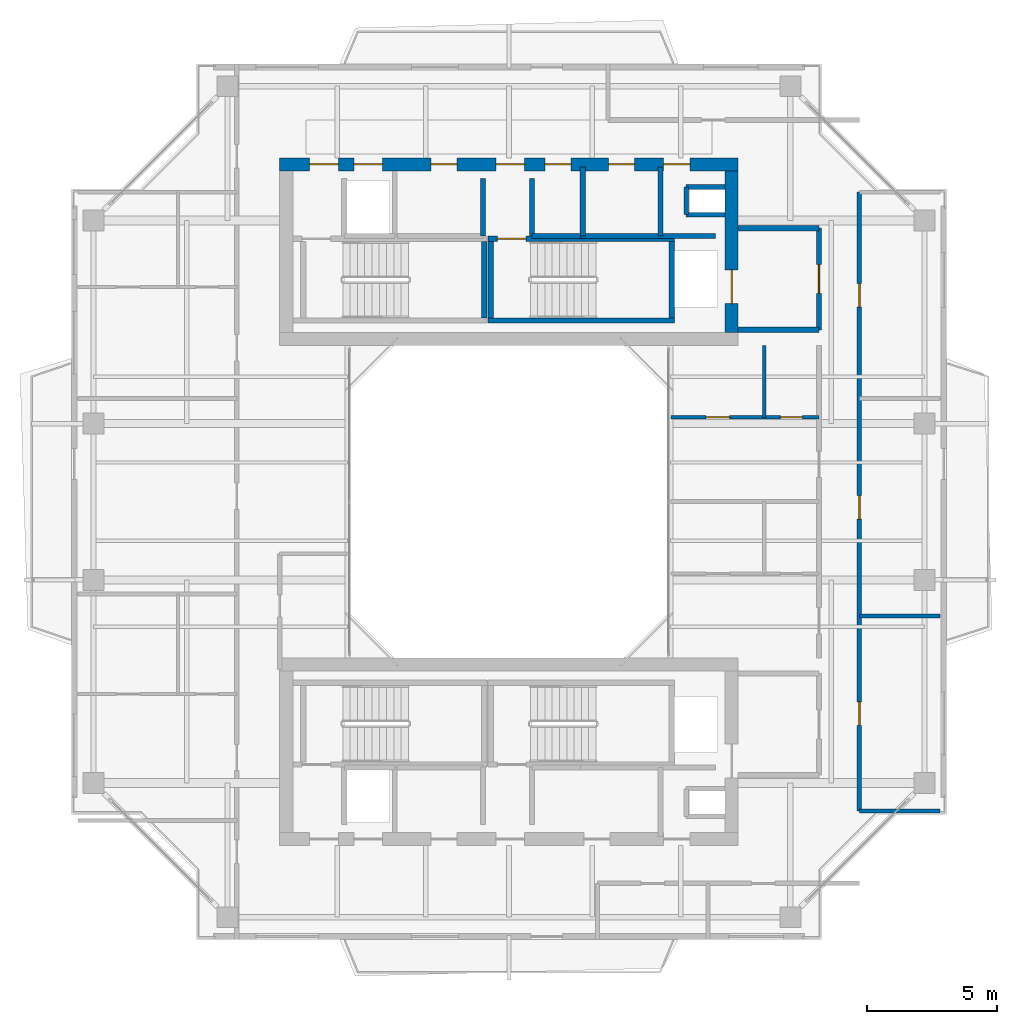
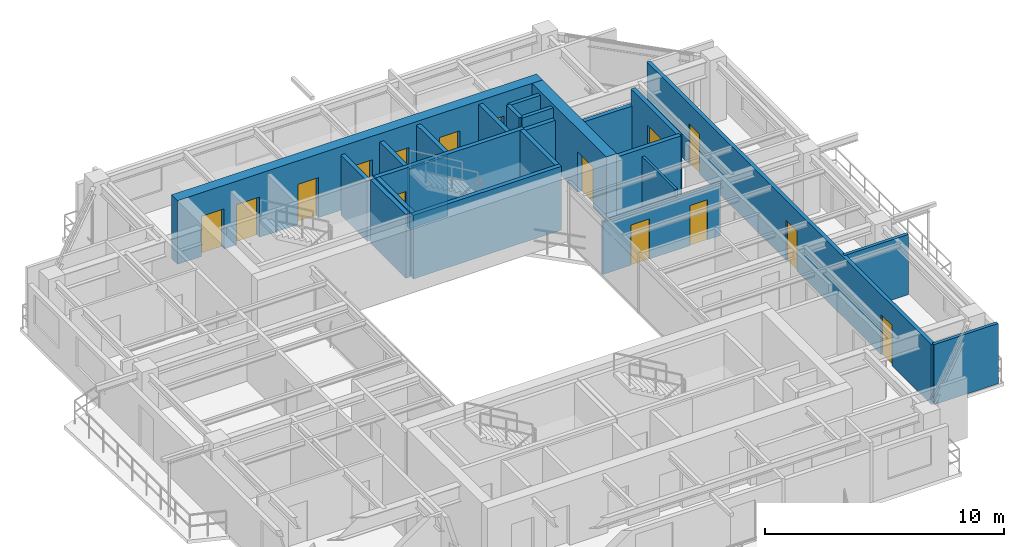
# One storey, part 12 of 15: 24 walls, 15 doors, 15 openings.
"""IFC4 building model written with IfcOpenShell, lengths in metres."""

from ifc_helpers import new_model, si_unit, direction, frame, frame_2d, origin, place, context, subcontext, project, spatial, rectangle, extrude, source, transform, mapped, material, layer, layer_set, type_object, element, fill, save


model = new_model("IFC4")

# Units and contexts
model_context = context("Model", 3, precision=1e-05, world=origin(), true_north=direction((0.0, 1.0)))
body_context = subcontext(model_context, "Body", "Model", "MODEL_VIEW")
ifc_project = project(units=[si_unit("LENGTHUNIT", "METRE"), si_unit("AREAUNIT", "SQUARE_METRE"), si_unit("VOLUMEUNIT", "CUBIC_METRE"), si_unit("PLANEANGLEUNIT", "RADIAN"), si_unit("MASSUNIT", "GRAM", prefix="KILO"), si_unit("THERMODYNAMICTEMPERATUREUNIT", "KELVIN"), si_unit("POWERUNIT", "WATT")], contexts=[model_context])

# Site, building, storey
site_placement = place(None, origin())
site = spatial("IfcSite", under=ifc_project, at=site_placement, CompositionType="ELEMENT")
building_placement = place(site_placement, origin())
building = spatial("IfcBuilding", under=site, at=building_placement, Name="Qiaomeng Ring Towers", CompositionType="ELEMENT")
storey_placement = place(building_placement, frame((0.0, 0.0, 206.75)))
storey = spatial("IfcBuildingStorey", under=building, at=storey_placement, Name="L60", CompositionType="ELEMENT", Elevation=206.75)

# Walls
ifc_material_1 = material(Name="Autoclaved aerated concrete block", Category="concrete")
ifc_layer_1 = layer(ifc_material_1, 0.199951171875, Name="Autoclaved aerated concrete block")
ifc_layer_set_1 = layer_set([ifc_layer_1], Name="Autoclaved aerated concrete block")
wall_type_1 = type_object("IfcWallType", Name="ARC-WL-PW1", PredefinedType="PARTITIONING", material=ifc_layer_set_1)
wall_1_placement = place(storey_placement, frame((27.800048828125, 29.60009765625, 0.0), z_axis=(0.0, 0.0, 1.0), x_axis=(1.0, 0.0, 0.0)))
element("IfcWall", 1, at=wall_1_placement, inside=storey, type_object=wall_type_1, Name="L60 Interior Wall PW1", PredefinedType="PARTITIONING", context=body_context, shape_type="SweptSolid", body=[
    extrude(rectangle(XDim=3.099853515625, YDim=0.199951171875, at=frame_2d((1.5498046875, 0.0))), origin(), (0.0, 0.0, 1.0), 3.070068359375),
])
wall_2_placement = place(storey_placement, frame((27.800048828125, 33.5, 0.0), z_axis=(0.0, 0.0, 1.0), x_axis=(1.0, 0.0, 0.0)))
element("IfcWall", 2, at=wall_2_placement, inside=storey, type_object=wall_type_1, Name="L60 Interior Wall PW1", PredefinedType="PARTITIONING", context=body_context, shape_type="SweptSolid", body=[
    extrude(rectangle(XDim=3.099853515625, YDim=0.199951171875, at=frame_2d((1.5498046875, 0.0))), origin(), (0.0, 0.0, 1.0), 2.264892578125),
])

# Wall, opening, door
wall_3_placement = place(storey_placement, frame((30.89990234375, 29.60009765625, 0.0), z_axis=(0.0, 0.0, 1.0), x_axis=(0.0, 1.0, 0.0)))
wall_3 = element("IfcWall", 3, at=wall_3_placement, inside=storey, type_object=wall_type_1, Name="L60 Interior Wall PW1", PredefinedType="PARTITIONING", context=body_context, shape_type="SweptSolid", body=[
    extrude(rectangle(XDim=3.89990234375, YDim=0.199951171875, at=frame_2d((1.949951171875, 0.0))), origin(), (0.0, 0.0, 1.0), 3.070068359375),
])
opening_1_placement = place(wall_3_placement, frame((1.39990234375, 0.0, 0.0)))
opening_1 = element("IfcOpeningElement", 4, at=opening_1_placement, cuts=wall_3, Name="Opening FD3", PredefinedType="OPENING", context=body_context, shape_type="SweptSolid", body=[
    extrude(rectangle(XDim=1.10009765625, YDim=2.050048828125, at=frame_2d((0.550048828125, 1.02490234375))), frame((0.0, 0.10986328125, 0.0), z_axis=(0.0, -1.0, 0.0), x_axis=(1.0, 0.0, 0.0)), (0.0, 0.0, 1.0), 0.219970703125),
])
ifc_material_2 = material(Name="Galvanised steel", Category="steel")
door_type_1 = type_object("IfcDoorType", Name="ARC-DR-FD3", OperationType="NOTDEFINED", PredefinedType="DOOR", material=ifc_material_2)
shared_shape_1 = source(origin(), body_context, "Body", "SweptSolid", [
    extrude(rectangle(XDim=1.10009765625, YDim=2.050048828125, at=frame_2d((0.550048828125, 1.02490234375))), frame((0.0, 0.02490234375, 0.0), z_axis=(0.0, -1.0, 0.0), x_axis=(1.0, 0.0, 0.0)), (0.0, 0.0, 1.0), 0.050048828125),
])
door_1_placement = place(opening_1_placement, origin())
door_1 = element("IfcDoor", 5, at=door_1_placement, inside=storey, type_object=door_type_1, Name="L60 North FF Lobby Door", OperationType="SINGLE_SWING_LEFT", OverallHeight=2.050048828125, OverallWidth=1.10009765625, PredefinedType="DOOR", context=body_context, shape_type="MappedRepresentation", body=[
    mapped(shared_shape_1, transform((0.0, 0.0, 0.0), x_axis=(1.0, 0.0, 0.0), y_axis=(0.0, 1.0, 0.0), z_axis=(0.0, 0.0, 1.0), scale=1.0)),
])
fill(opening_1, door_1)

# Walls
for number, where, z_axis, x_axis, name in (
    (6, (18.0, 33.18994140625, 0.0), (0.0, 0.0, 1.0), (0.0, 1.0, 0.0), "L60 Interior Wall PW1"),
    (7, (19.8798828125, 33.18994140625, 0.0), (0.0, 0.0, 1.0), (0.0, 1.0, 0.0), "L60 Interior Wall PW1"),
):
    element("IfcWall", number, at=place(storey_placement, frame(where, z_axis=z_axis, x_axis=x_axis)), inside=storey, type_object=wall_type_1, Name=name, PredefinedType="PARTITIONING", context=body_context, shape_type="SweptSolid", body=[
        extrude(rectangle(XDim=2.2099609375, YDim=0.199951171875, at=frame_2d((1.10498046875, 0.0))), origin(), (0.0, 0.0, 1.0), 3.070068359375),
    ])
wall_4_placement = place(storey_placement, frame((24.820068359375, 33.199951171875, 0.0), z_axis=(0.0, 0.0, 1.0), x_axis=(0.0, 1.0, 0.0)))
element("IfcWall", 8, at=wall_4_placement, inside=storey, type_object=wall_type_1, Name="L60 Interior Wall PW1", PredefinedType="PARTITIONING", context=body_context, shape_type="SweptSolid", body=[
    extrude(rectangle(XDim=2.650146484375, YDim=0.199951171875, at=frame_2d((1.3251953125, 0.0))), origin(), (0.0, 0.0, 1.0), 3.070068359375),
])
wall_5_placement = place(storey_placement, frame((19.8798828125, 33.199951171875, 0.0), z_axis=(0.0, 0.0, 1.0), x_axis=(1.0, 0.0, 0.0)))
element("IfcWall", 9, at=wall_5_placement, inside=storey, type_object=wall_type_1, Name="L60 Interior Wall PW1", PredefinedType="PARTITIONING", context=body_context, shape_type="SweptSolid", body=[
    extrude(rectangle(XDim=1.8701171875, YDim=0.199951171875, at=frame_2d((0.93505859375, 0.0))), origin(), (0.0, 0.0, 1.0), 3.070068359375),
])
wall_6_placement = place(storey_placement, frame((21.830078125, 33.199951171875, 0.0), z_axis=(0.0, 0.0, 1.0), x_axis=(0.0, 1.0, 0.0)))
element("IfcWall", 10, at=wall_6_placement, inside=storey, type_object=wall_type_1, Name="L60 Interior Wall PW1", PredefinedType="PARTITIONING", context=body_context, shape_type="SweptSolid", body=[
    extrude(rectangle(XDim=2.650146484375, YDim=0.199951171875, at=frame_2d((1.3251953125, 0.0))), origin(), (0.0, 0.0, 1.0), 3.070068359375),
])
wall_7_placement = place(storey_placement, frame((21.75, 33.199951171875, 0.0), z_axis=(0.0, 0.0, 1.0), x_axis=(1.0, 0.0, 0.0)))
element("IfcWall", 11, at=wall_7_placement, inside=storey, type_object=wall_type_1, Name="L60 Interior Wall PW1", PredefinedType="PARTITIONING", context=body_context, shape_type="SweptSolid", body=[
    extrude(rectangle(XDim=5.169921875, YDim=0.199951171875, at=frame_2d((2.5849609375, 0.0))), origin(), (0.0, 0.0, 1.0), 3.070068359375),
])

# Wall, openings, doors
ifc_layer_2 = layer(ifc_material_1, 0.179931640625, Name="Autoclaved aerated concrete block")
ifc_layer_set_2 = layer_set([ifc_layer_2], Name="Autoclaved aerated concrete block")
wall_type_2 = type_object("IfcWallType", Name="ARC-WL-PW2", PredefinedType="PARTITIONING", material=ifc_layer_set_2)
wall_8_placement = place(storey_placement, frame((32.449951171875, 11.1201171875, 0.0), z_axis=(0.0, 0.0, 1.0), x_axis=(0.0, 1.0, 0.0)))
wall_8 = element("IfcWall", 12, at=wall_8_placement, inside=storey, type_object=wall_type_2, Name="L60 Interior Wall PW2", PredefinedType="PARTITIONING", context=body_context, shape_type="SweptSolid", body=[
    extrude(rectangle(XDim=23.759765625, YDim=0.179931640625, at=frame_2d((11.8798828125, 0.0))), origin(), (0.0, 0.0, 1.0), 3.070068359375),
])
opening_2_placement = place(wall_8_placement, frame((3.294921875, 0.0, 0.0)))
opening_2 = element("IfcOpeningElement", 13, at=opening_2_placement, cuts=wall_8, Name="Opening ID1", PredefinedType="OPENING", context=body_context, shape_type="SweptSolid", body=[
    extrude(rectangle(XDim=0.89990234375, YDim=2.050048828125, at=frame_2d((0.449951171875, 1.02490234375))), frame((0.0, 0.099853515625, 0.0), z_axis=(0.0, -1.0, 0.0), x_axis=(1.0, 0.0, 0.0)), (0.0, 0.0, 1.0), 0.199951171875),
])
opening_3_placement = place(wall_8_placement, frame((11.215087890625, 0.0, 0.0)))
opening_3 = element("IfcOpeningElement", 14, at=opening_3_placement, cuts=wall_8, Name="Opening ID1", PredefinedType="OPENING", context=body_context, shape_type="SweptSolid", body=[
    extrude(rectangle(XDim=0.89990234375, YDim=2.050048828125, at=frame_2d((0.449951171875, 1.02490234375))), frame((0.0, 0.099853515625, 0.0), z_axis=(0.0, -1.0, 0.0), x_axis=(1.0, 0.0, 0.0)), (0.0, 0.0, 1.0), 0.199951171875),
])
opening_4_placement = place(wall_8_placement, frame((19.35009765625, 0.0, 0.0)))
opening_4 = element("IfcOpeningElement", 15, at=opening_4_placement, cuts=wall_8, Name="Opening ID1", PredefinedType="OPENING", context=body_context, shape_type="SweptSolid", body=[
    extrude(rectangle(XDim=0.89990234375, YDim=2.050048828125, at=frame_2d((0.449951171875, 1.02490234375))), frame((0.0, 0.099853515625, 0.0), z_axis=(0.0, -1.0, 0.0), x_axis=(1.0, 0.0, 0.0)), (0.0, 0.0, 1.0), 0.199951171875),
])
ifc_material_3 = material(Name="Engineered oak timber", Category="wood")
door_type_2 = type_object("IfcDoorType", Name="ARC-DR-ID1", OperationType="NOTDEFINED", PredefinedType="DOOR", material=ifc_material_3)
shared_shape_2 = source(origin(), body_context, "Body", "SweptSolid", [
    extrude(rectangle(XDim=0.89990234375, YDim=2.050048828125, at=frame_2d((0.449951171875, 1.02490234375))), frame((0.0, 0.02490234375, 0.0), z_axis=(0.0, -1.0, 0.0), x_axis=(1.0, 0.0, 0.0)), (0.0, 0.0, 1.0), 0.050048828125),
])
door_2_placement = place(opening_2_placement, origin())
door_2 = element("IfcDoor", 16, at=door_2_placement, inside=storey, type_object=door_type_2, Name="L60 Door ID1", OperationType="SINGLE_SWING_LEFT", OverallHeight=2.050048828125, OverallWidth=0.89990234375, PredefinedType="DOOR", context=body_context, shape_type="MappedRepresentation", body=[
    mapped(shared_shape_2, transform((0.0, 0.0, 0.0), x_axis=(1.0, 0.0, 0.0), y_axis=(0.0, 1.0, 0.0), z_axis=(0.0, 0.0, 1.0), scale=1.0)),
])
fill(opening_2, door_2)
door_3_placement = place(opening_3_placement, origin())
door_3 = element("IfcDoor", 17, at=door_3_placement, inside=storey, type_object=door_type_2, Name="L60 Door ID1", OperationType="SINGLE_SWING_RIGHT", OverallHeight=2.050048828125, OverallWidth=0.89990234375, PredefinedType="DOOR", context=body_context, shape_type="MappedRepresentation", body=[
    mapped(shared_shape_2, transform((0.0, 0.0, 0.0), x_axis=(1.0, 0.0, 0.0), y_axis=(0.0, 1.0, 0.0), z_axis=(0.0, 0.0, 1.0), scale=1.0)),
])
fill(opening_3, door_3)
door_4_placement = place(opening_4_placement, origin())
door_4 = element("IfcDoor", 18, at=door_4_placement, inside=storey, type_object=door_type_2, Name="L60 Door ID1", OperationType="SINGLE_SWING_LEFT", OverallHeight=2.050048828125, OverallWidth=0.89990234375, PredefinedType="DOOR", context=body_context, shape_type="MappedRepresentation", body=[
    mapped(shared_shape_2, transform((0.0, 0.0, 0.0), x_axis=(1.0, 0.0, 0.0), y_axis=(0.0, 1.0, 0.0), z_axis=(0.0, 0.0, 1.0), scale=1.0)),
])
fill(opening_4, door_4)

# Walls
ifc_material_4 = material(Name="Gypsum fireboard steel-stud partition", Category="steel")
ifc_layer_3 = layer(ifc_material_4, 0.14990234375, Name="Gypsum fireboard steel-stud partition")
ifc_layer_set_3 = layer_set([ifc_layer_3], Name="Gypsum fireboard steel-stud partition")
wall_type_3 = type_object("IfcWallType", Name="ARC-WL-PW3", PredefinedType="PARTITIONING", material=ifc_layer_set_3)
for number, where, z_axis, x_axis, name in (
    (19, (32.449951171875, 11.1201171875, 0.0), (0.0, 0.0, 1.0), (1.0, 0.0, 0.0), "L60 Interior Wall PW3"),
    (20, (32.449951171875, 18.610107421875, 0.0), (0.0, 0.0, 1.0), (1.0, 0.0, 0.0), "L60 Interior Wall PW3"),
):
    element("IfcWall", number, at=place(storey_placement, frame(where, z_axis=z_axis, x_axis=x_axis)), inside=storey, type_object=wall_type_3, Name=name, PredefinedType="PARTITIONING", context=body_context, shape_type="SweptSolid", body=[
        extrude(rectangle(XDim=3.10009765625, YDim=0.14990234375, at=frame_2d((1.550048828125, 0.0))), origin(), (0.0, 0.0, 1.0), 3.070068359375),
    ])

# Wall, openings, doors
ifc_material_5 = material(Name="Moisture-resistant gypsum steel-stud partition", Category="steel")
ifc_layer_4 = layer(ifc_material_5, 0.1201171875, Name="Moisture-resistant gypsum steel-stud partition")
ifc_layer_set_4 = layer_set([ifc_layer_4], Name="Moisture-resistant gypsum steel-stud partition")
wall_type_4 = type_object("IfcWallType", Name="ARC-WL-PW4", PredefinedType="PLUMBINGWALL", material=ifc_layer_set_4)
wall_9_placement = place(storey_placement, frame((25.219970703125, 26.239990234375, 0.0), z_axis=(0.0, 0.0, 1.0), x_axis=(1.0, 0.0, 0.0)))
wall_9 = element("IfcWall", 21, at=wall_9_placement, inside=storey, type_object=wall_type_4, Name="L60 Interior Wall PW4", PredefinedType="PLUMBINGWALL", context=body_context, shape_type="SweptSolid", body=[
    extrude(rectangle(XDim=5.679931640625, YDim=0.1201171875, at=frame_2d((2.83984375, 0.0))), origin(), (0.0, 0.0, 1.0), 2.675048828125),
])
opening_5_placement = place(wall_9_placement, frame((1.35009765625, 0.0, 0.0)))
opening_5 = element("IfcOpeningElement", 22, at=opening_5_placement, cuts=wall_9, Name="Opening ID1", PredefinedType="OPENING", context=body_context, shape_type="SweptSolid", body=[
    extrude(rectangle(XDim=0.89990234375, YDim=2.050048828125, at=frame_2d((0.449951171875, 1.02490234375))), frame((0.0, 0.070068359375, 0.0), z_axis=(0.0, -1.0, 0.0), x_axis=(1.0, 0.0, 0.0)), (0.0, 0.0, 1.0), 0.14013671875),
])
opening_6_placement = place(wall_9_placement, frame((4.195068359375, 0.0, 0.0)))
opening_6 = element("IfcOpeningElement", 23, at=opening_6_placement, cuts=wall_9, Name="Opening ID2", PredefinedType="OPENING", context=body_context, shape_type="SweptSolid", body=[
    extrude(rectangle(XDim=0.85009765625, YDim=2.050048828125, at=frame_2d((0.425048828125, 1.02490234375))), frame((0.0, 0.070068359375, 0.0), z_axis=(0.0, -1.0, 0.0), x_axis=(1.0, 0.0, 0.0)), (0.0, 0.0, 1.0), 0.14013671875),
])
ifc_material_6 = material(Name="Moisture-resistant engineered timber", Category="wood")
door_type_3 = type_object("IfcDoorType", Name="ARC-DR-ID2", OperationType="NOTDEFINED", PredefinedType="DOOR", material=ifc_material_6)
shared_shape_3 = source(origin(), body_context, "Body", "SweptSolid", [
    extrude(rectangle(XDim=0.85009765625, YDim=2.050048828125, at=frame_2d((0.425048828125, 1.02490234375))), frame((0.0, 0.02490234375, 0.0), z_axis=(0.0, -1.0, 0.0), x_axis=(1.0, 0.0, 0.0)), (0.0, 0.0, 1.0), 0.050048828125),
])
door_5_placement = place(opening_6_placement, origin())
door_5 = element("IfcDoor", 24, at=door_5_placement, inside=storey, type_object=door_type_3, Name="L60 Door ID2", OperationType="SINGLE_SWING_LEFT", OverallHeight=2.050048828125, OverallWidth=0.85009765625, PredefinedType="DOOR", context=body_context, shape_type="MappedRepresentation", body=[
    mapped(shared_shape_3, transform((0.0, 0.0, 0.0), x_axis=(1.0, 0.0, 0.0), y_axis=(0.0, 1.0, 0.0), z_axis=(0.0, 0.0, 1.0), scale=1.0)),
])
fill(opening_6, door_5)
door_6_placement = place(opening_5_placement, origin())
door_6 = element("IfcDoor", 25, at=door_6_placement, inside=storey, type_object=door_type_2, Name="L60 Door ID1", OperationType="SINGLE_SWING_RIGHT", OverallHeight=2.050048828125, OverallWidth=0.89990234375, PredefinedType="DOOR", context=body_context, shape_type="MappedRepresentation", body=[
    mapped(shared_shape_2, transform((0.0, 0.0, 0.0), x_axis=(1.0, 0.0, 0.0), y_axis=(0.0, 1.0, 0.0), z_axis=(0.0, 0.0, 1.0), scale=1.0)),
])
fill(opening_5, door_6)

# Walls
wall_10_placement = place(storey_placement, frame((28.800048828125, 26.239990234375, 0.0), z_axis=(0.0, 0.0, 1.0), x_axis=(0.0, 1.0, 0.0)))
element("IfcWall", 26, at=wall_10_placement, inside=storey, type_object=wall_type_4, Name="L60 Interior Wall PW4", PredefinedType="PLUMBINGWALL", context=body_context, shape_type="SweptSolid", body=[
    extrude(rectangle(XDim=2.760009765625, YDim=0.1201171875, at=frame_2d((1.3798828125, 0.0))), origin(), (0.0, 0.0, 1.0), 3.070068359375),
])
ifc_material_7 = material(Name="Concrete C40", Category="concrete")
ifc_layer_5 = layer(ifc_material_7, 0.199951171875, Name="Concrete C40")
ifc_layer_set_5 = layer_set([ifc_layer_5], Name="Concrete C40")
wall_type_5 = type_object("IfcWallType", Name="STR-WL-STSHAFT", PredefinedType="SHEAR", material=ifc_layer_set_5)
wall_11_placement = place(storey_placement, frame((25.800048828125, 34.02001953125, 0.0), z_axis=(0.0, 0.0, 1.0), x_axis=(0.0, 1.0, 0.0)))
element("IfcWall", 27, at=wall_11_placement, inside=storey, type_object=wall_type_5, Name="L60 Riser RSR1 West Shaft Wall N", PredefinedType="SHEAR", context=body_context, shape_type="SweptSolid", body=[
    extrude(rectangle(XDim=1.06005859375, YDim=0.179931640625, at=frame_2d((0.530029296875, 0.0))), origin(), (0.0, 0.0, 1.0), 3.070068359375),
])
for number, where, z_axis, x_axis, name in (
    (28, (25.800048828125, 35.080078125, 0.0), (0.0, 0.0, 1.0), (1.0, 0.0, 0.0), "L60 Riser RSR1 North Shaft Wall N"),
    (29, (25.800048828125, 34.02001953125, 0.0), (0.0, 0.0, 1.0), (1.0, 0.0, 0.0), "L60 Riser RSR1 South Shaft Wall N"),
):
    element("IfcWall", number, at=place(storey_placement, frame(where, z_axis=z_axis, x_axis=x_axis)), inside=storey, type_object=wall_type_5, Name=name, PredefinedType="SHEAR", context=body_context, shape_type="SweptSolid", body=[
        extrude(rectangle(XDim=1.5, YDim=0.179931640625, at=frame_2d((0.75, 0.0))), origin(), (0.0, 0.0, 1.0), 3.070068359375),
    ])
wall_12_placement = place(storey_placement, frame((18.050048828125, 30.050048828125, 0.0), z_axis=(0.0, 0.0, 1.0), x_axis=(0.0, 1.0, 0.0)))
element("IfcWall", 30, at=wall_12_placement, inside=storey, type_object=wall_type_5, Name="L60 Stair ST1 East Shaft Shear Wall", PredefinedType="SHEAR", context=body_context, shape_type="SweptSolid", body=[
    extrude(rectangle(XDim=2.93994140625, YDim=0.199951171875, at=frame_2d((1.469970703125, 0.0))), origin(), (0.0, 0.0, 1.0), 3.25),
])
wall_13_placement = place(storey_placement, frame((18.199951171875, 29.949951171875, 0.0), z_axis=(0.0, 0.0, 1.0), x_axis=(1.0, 0.0, 0.0)))
element("IfcWall", 31, at=wall_13_placement, inside=storey, type_object=wall_type_5, Name="L60 Stair ST2 South Shaft Shear Wall", PredefinedType="SHEAR", context=body_context, shape_type="SweptSolid", body=[
    extrude(rectangle(XDim=7.150146484375, YDim=0.199951171875, at=frame_2d((3.5751953125, 0.0))), origin(), (0.0, 0.0, 1.0), 3.25),
])

# Wall, opening, door
wall_14_placement = place(storey_placement, frame((18.199951171875, 33.090087890625, 0.0), z_axis=(0.0, 0.0, 1.0), x_axis=(1.0, 0.0, 0.0)))
wall_14 = element("IfcWall", 32, at=wall_14_placement, inside=storey, type_object=wall_type_5, Name="L60 Stair ST2 North Shaft Shear Wall", PredefinedType="SHEAR", context=body_context, shape_type="SweptSolid", body=[
    extrude(rectangle(XDim=7.150146484375, YDim=0.199951171875, at=frame_2d((3.5751953125, 0.0))), origin(), (0.0, 0.0, 1.0), 3.25),
])
opening_7_placement = place(wall_14_placement, frame((0.35009765625, 0.0, 0.0)))
opening_7 = element("IfcOpeningElement", 33, at=opening_7_placement, cuts=wall_14, Name="Opening FD3", PredefinedType="OPENING", context=body_context, shape_type="SweptSolid", body=[
    extrude(rectangle(XDim=1.10009765625, YDim=2.050048828125, at=frame_2d((0.550048828125, 1.02490234375))), frame((0.0, 0.10986328125, 0.0), z_axis=(0.0, -1.0, 0.0), x_axis=(1.0, 0.0, 0.0)), (0.0, 0.0, 1.0), 0.219970703125),
])
door_7_placement = place(opening_7_placement, origin())
door_7 = element("IfcDoor", 34, at=door_7_placement, inside=storey, type_object=door_type_1, Name="L60 Stair ST2 Exit Door", OperationType="SINGLE_SWING_RIGHT", OverallHeight=2.050048828125, OverallWidth=1.10009765625, PredefinedType="DOOR", context=body_context, shape_type="MappedRepresentation", body=[
    mapped(shared_shape_1, transform((0.0, 0.0, 0.0), x_axis=(1.0, 0.0, 0.0), y_axis=(0.0, 1.0, 0.0), z_axis=(0.0, 0.0, 1.0), scale=1.0)),
])
fill(opening_7, door_7)

# Walls
for number, where, z_axis, x_axis, name in (
    (35, (18.300048828125, 30.050048828125, 0.0), (0.0, 0.0, 1.0), (0.0, 1.0, 0.0), "L60 Stair ST2 West Shaft Shear Wall"),
    (36, (25.25, 30.050048828125, 0.0), (0.0, 0.0, 1.0), (0.0, 1.0, 0.0), "L60 Stair ST2 East Shaft Shear Wall"),
):
    element("IfcWall", number, at=place(storey_placement, frame(where, z_axis=z_axis, x_axis=x_axis)), inside=storey, type_object=wall_type_5, Name=name, PredefinedType="SHEAR", context=body_context, shape_type="SweptSolid", body=[
        extrude(rectangle(XDim=2.93994140625, YDim=0.199951171875, at=frame_2d((1.469970703125, 0.0))), origin(), (0.0, 0.0, 1.0), 3.25),
    ])

# Wall, openings, doors
ifc_layer_6 = layer(ifc_material_7, 0.5, Name="Concrete C40")
ifc_layer_set_6 = layer_set([ifc_layer_6], Name="Concrete C40")
wall_type_6 = type_object("IfcWallType", Name="STR-WL-SW3", PredefinedType="SHEAR", material=ifc_layer_set_6)
wall_15_placement = place(storey_placement, frame((10.199951171875, 35.949951171875, 0.0), z_axis=(0.0, 0.0, 1.0), x_axis=(1.0, 0.0, 0.0)))
wall_15 = element("IfcWall", 37, at=wall_15_placement, inside=storey, type_object=wall_type_6, Name="L60 T1NC north core shear wall", PredefinedType="SHEAR", context=body_context, shape_type="SweptSolid", body=[
    extrude(rectangle(XDim=17.60009765625, YDim=0.5, at=frame_2d((8.800048828125, 0.0))), origin(), (0.0, 0.0, 1.0), 3.25),
])
opening_8_placement = place(wall_15_placement, frame((1.14990234375, 0.0, 0.0)))
opening_8 = element("IfcOpeningElement", 38, at=opening_8_placement, cuts=wall_15, Name="Opening FD3", PredefinedType="OPENING", context=body_context, shape_type="SweptSolid", body=[
    extrude(rectangle(XDim=1.10009765625, YDim=2.050048828125, at=frame_2d((0.550048828125, 1.02490234375))), frame((0.0, 0.260009765625, 0.0), z_axis=(0.0, -1.0, 0.0), x_axis=(1.0, 0.0, 0.0)), (0.0, 0.0, 1.0), 0.52001953125),
])
opening_9_placement = place(wall_15_placement, frame((8.300048828125, 0.0, 0.0)))
opening_9 = element("IfcOpeningElement", 39, at=opening_9_placement, cuts=wall_15, Name="Opening FD3", PredefinedType="OPENING", context=body_context, shape_type="SweptSolid", body=[
    extrude(rectangle(XDim=1.10009765625, YDim=2.050048828125, at=frame_2d((0.550048828125, 1.02490234375))), frame((0.0, 0.260009765625, 0.0), z_axis=(0.0, -1.0, 0.0), x_axis=(1.0, 0.0, 0.0)), (0.0, 0.0, 1.0), 0.52001953125),
])
opening_10_placement = place(wall_15_placement, frame((2.85009765625, 0.0, 0.0)))
opening_10 = element("IfcOpeningElement", 40, at=opening_10_placement, cuts=wall_15, Name="Opening LD1", PredefinedType="OPENING", context=body_context, shape_type="SweptSolid", body=[
    extrude(rectangle(XDim=1.10009765625, YDim=2.050048828125, at=frame_2d((0.550048828125, 1.02490234375))), frame((0.0, 0.260009765625, 0.0), z_axis=(0.0, -1.0, 0.0), x_axis=(1.0, 0.0, 0.0)), (0.0, 0.0, 1.0), 0.52001953125),
])
opening_11_placement = place(wall_15_placement, frame((5.800048828125, 0.0, 0.0)))
opening_11 = element("IfcOpeningElement", 41, at=opening_11_placement, cuts=wall_15, Name="Opening FD1", PredefinedType="OPENING", context=body_context, shape_type="SweptSolid", body=[
    extrude(rectangle(XDim=1.0, YDim=2.050048828125, at=frame_2d((0.5, 1.02490234375))), frame((0.0, 0.260009765625, 0.0), z_axis=(0.0, -1.0, 0.0), x_axis=(1.0, 0.0, 0.0)), (0.0, 0.0, 1.0), 0.52001953125),
])
opening_12_placement = place(wall_15_placement, frame((14.739990234375, 0.0, 0.0)))
opening_12 = element("IfcOpeningElement", 42, at=opening_12_placement, cuts=wall_15, Name="Opening FD1", PredefinedType="OPENING", context=body_context, shape_type="SweptSolid", body=[
    extrude(rectangle(XDim=1.0, YDim=2.050048828125, at=frame_2d((0.5, 1.02490234375))), frame((0.0, 0.260009765625, 0.0), z_axis=(0.0, -1.0, 0.0), x_axis=(1.0, 0.0, 0.0)), (0.0, 0.0, 1.0), 0.52001953125),
])
opening_13_placement = place(wall_15_placement, frame((10.175048828125, 0.0, 0.0)))
opening_13 = element("IfcOpeningElement", 43, at=opening_13_placement, cuts=wall_15, Name="Opening FD1", PredefinedType="OPENING", context=body_context, shape_type="SweptSolid", body=[
    extrude(rectangle(XDim=1.0, YDim=2.050048828125, at=frame_2d((0.5, 1.02490234375))), frame((0.0, 0.260009765625, 0.0), z_axis=(0.0, -1.0, 0.0), x_axis=(1.0, 0.0, 0.0)), (0.0, 0.0, 1.0), 0.52001953125),
])
opening_14_placement = place(wall_15_placement, frame((12.625, 0.0, 0.0)))
opening_14 = element("IfcOpeningElement", 44, at=opening_14_placement, cuts=wall_15, Name="Opening FD1", PredefinedType="OPENING", context=body_context, shape_type="SweptSolid", body=[
    extrude(rectangle(XDim=1.0, YDim=2.050048828125, at=frame_2d((0.5, 1.02490234375))), frame((0.0, 0.260009765625, 0.0), z_axis=(0.0, -1.0, 0.0), x_axis=(1.0, 0.0, 0.0)), (0.0, 0.0, 1.0), 0.52001953125),
])
door_8_placement = place(opening_8_placement, origin())
door_8 = element("IfcDoor", 45, at=door_8_placement, inside=storey, type_object=door_type_1, Name="L60 Stair ST1 Lobby Door", OperationType="SINGLE_SWING_LEFT", OverallHeight=2.050048828125, OverallWidth=1.10009765625, PredefinedType="DOOR", context=body_context, shape_type="MappedRepresentation", body=[
    mapped(shared_shape_1, transform((0.0, 0.0, 0.0), x_axis=(1.0, 0.0, 0.0), y_axis=(0.0, 1.0, 0.0), z_axis=(0.0, 0.0, 1.0), scale=1.0)),
])
fill(opening_8, door_8)
door_9_placement = place(opening_9_placement, origin())
door_9 = element("IfcDoor", 46, at=door_9_placement, inside=storey, type_object=door_type_1, Name="L60 Stair ST2 Lobby Door", OperationType="SINGLE_SWING_LEFT", OverallHeight=2.050048828125, OverallWidth=1.10009765625, PredefinedType="DOOR", context=body_context, shape_type="MappedRepresentation", body=[
    mapped(shared_shape_1, transform((0.0, 0.0, 0.0), x_axis=(1.0, 0.0, 0.0), y_axis=(0.0, 1.0, 0.0), z_axis=(0.0, 0.0, 1.0), scale=1.0)),
])
fill(opening_9, door_9)
ifc_material_8 = material(Name="Stainless steel 316", Category="steel")
door_type_4 = type_object("IfcDoorType", Name="ARC-DR-LD1", OperationType="NOTDEFINED", PredefinedType="DOOR", material=ifc_material_8)
door_10_placement = place(opening_10_placement, origin())
door_10 = element("IfcDoor", 47, at=door_10_placement, inside=storey, type_object=door_type_4, Name="L60 High-Zone Lift LP5 Landing Door", OperationType="SLIDING_TO_LEFT", OverallHeight=2.050048828125, OverallWidth=1.10009765625, PredefinedType="DOOR", context=body_context, shape_type="MappedRepresentation", body=[
    mapped(shared_shape_1, transform((0.0, 0.0, 0.0), x_axis=(1.0, 0.0, 0.0), y_axis=(0.0, 1.0, 0.0), z_axis=(0.0, 0.0, 1.0), scale=1.0)),
])
fill(opening_10, door_10)
door_type_5 = type_object("IfcDoorType", Name="ARC-DR-FD1", OperationType="NOTDEFINED", PredefinedType="DOOR", material=ifc_material_2)
shared_shape_4 = source(origin(), body_context, "Body", "SweptSolid", [
    extrude(rectangle(XDim=1.0, YDim=2.050048828125, at=frame_2d((0.5, 1.02490234375))), frame((0.0, 0.02490234375, 0.0), z_axis=(0.0, -1.0, 0.0), x_axis=(1.0, 0.0, 0.0)), (0.0, 0.0, 1.0), 0.050048828125),
])
door_11_placement = place(opening_11_placement, origin())
door_11 = element("IfcDoor", 48, at=door_11_placement, inside=storey, type_object=door_type_5, Name="L60 High-Zone Facilities Office Door", OperationType="SINGLE_SWING_LEFT", OverallHeight=2.050048828125, OverallWidth=1.0, PredefinedType="DOOR", context=body_context, shape_type="MappedRepresentation", body=[
    mapped(shared_shape_4, transform((0.0, 0.0, 0.0), x_axis=(1.0, 0.0, 0.0), y_axis=(0.0, 1.0, 0.0), z_axis=(0.0, 0.0, 1.0), scale=1.0)),
])
fill(opening_11, door_11)
door_12_placement = place(opening_12_placement, origin())
door_12 = element("IfcDoor", 49, at=door_12_placement, inside=storey, type_object=door_type_5, Name="L60 North Electrical Riser Door", OperationType="SINGLE_SWING_LEFT", OverallHeight=2.050048828125, OverallWidth=1.0, PredefinedType="DOOR", context=body_context, shape_type="MappedRepresentation", body=[
    mapped(shared_shape_4, transform((0.0, 0.0, 0.0), x_axis=(1.0, 0.0, 0.0), y_axis=(0.0, 1.0, 0.0), z_axis=(0.0, 0.0, 1.0), scale=1.0)),
])
fill(opening_12, door_12)
door_13_placement = place(opening_13_placement, origin())
door_13 = element("IfcDoor", 50, at=door_13_placement, inside=storey, type_object=door_type_5, Name="L60 North Cleaners Store Door", OperationType="SINGLE_SWING_LEFT", OverallHeight=2.050048828125, OverallWidth=1.0, PredefinedType="DOOR", context=body_context, shape_type="MappedRepresentation", body=[
    mapped(shared_shape_4, transform((0.0, 0.0, 0.0), x_axis=(1.0, 0.0, 0.0), y_axis=(0.0, 1.0, 0.0), z_axis=(0.0, 0.0, 1.0), scale=1.0)),
])
fill(opening_13, door_13)
door_14_placement = place(opening_14_placement, origin())
door_14 = element("IfcDoor", 51, at=door_14_placement, inside=storey, type_object=door_type_5, Name="L60 North Telemetry Office Door", OperationType="SINGLE_SWING_RIGHT", OverallHeight=2.050048828125, OverallWidth=1.0, PredefinedType="DOOR", context=body_context, shape_type="MappedRepresentation", body=[
    mapped(shared_shape_4, transform((0.0, 0.0, 0.0), x_axis=(1.0, 0.0, 0.0), y_axis=(0.0, 1.0, 0.0), z_axis=(0.0, 0.0, 1.0), scale=1.0)),
])
fill(opening_14, door_14)

# Wall, opening, door
wall_16_placement = place(storey_placement, frame((27.550048828125, 29.5, 0.0), z_axis=(0.0, 0.0, 1.0), x_axis=(0.0, 1.0, 0.0)))
wall_16 = element("IfcWall", 52, at=wall_16_placement, inside=storey, type_object=wall_type_6, Name="L60 T1NC east core shear wall", PredefinedType="SHEAR", context=body_context, shape_type="SweptSolid", body=[
    extrude(rectangle(XDim=6.199951171875, YDim=0.5, at=frame_2d((3.10009765625, 0.0))), origin(), (0.0, 0.0, 1.0), 3.25),
])
opening_15_placement = place(wall_16_placement, frame((1.10009765625, 0.0, 0.0)))
opening_15 = element("IfcOpeningElement", 53, at=opening_15_placement, cuts=wall_16, Name="Opening LD2", PredefinedType="OPENING", context=body_context, shape_type="SweptSolid", body=[
    extrude(rectangle(XDim=1.300048828125, YDim=2.050048828125, at=frame_2d((0.64990234375, 1.02490234375))), frame((0.0, 0.260009765625, 0.0), z_axis=(0.0, -1.0, 0.0), x_axis=(1.0, 0.0, 0.0)), (0.0, 0.0, 1.0), 0.52001953125),
])
door_type_6 = type_object("IfcDoorType", Name="ARC-DR-LD2", OperationType="NOTDEFINED", PredefinedType="DOOR", material=ifc_material_8)
shared_shape_5 = source(origin(), body_context, "Body", "SweptSolid", [
    extrude(rectangle(XDim=1.300048828125, YDim=2.050048828125, at=frame_2d((0.64990234375, 1.02490234375))), frame((0.0, 0.02490234375, 0.0), z_axis=(0.0, -1.0, 0.0), x_axis=(1.0, 0.0, 0.0)), (0.0, 0.0, 1.0), 0.050048828125),
])
door_15_placement = place(opening_15_placement, origin())
door_15 = element("IfcDoor", 54, at=door_15_placement, inside=storey, type_object=door_type_6, Name="L60 Firefighting Lift FL1 Landing Door", OperationType="SLIDING_TO_LEFT", OverallHeight=2.050048828125, OverallWidth=1.300048828125, PredefinedType="DOOR", context=body_context, shape_type="MappedRepresentation", body=[
    mapped(shared_shape_5, transform((0.0, 0.0, 0.0), x_axis=(1.0, 0.0, 0.0), y_axis=(0.0, 1.0, 0.0), z_axis=(0.0, 0.0, 1.0), scale=1.0)),
])
fill(opening_15, door_15)

save(model, "model.ifc")
